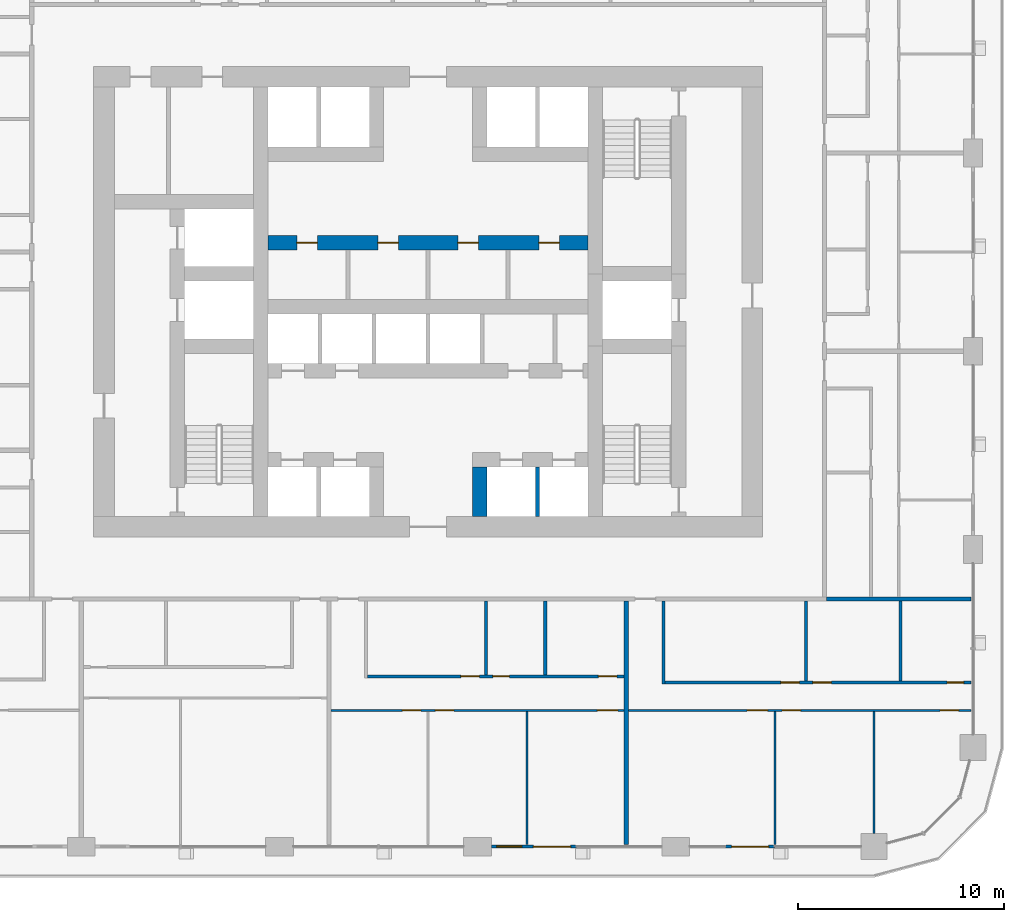
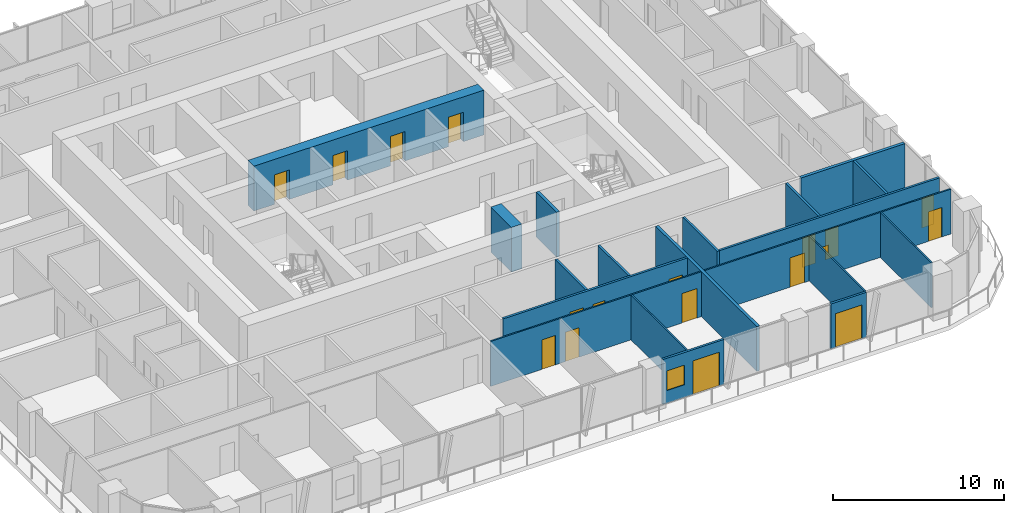
# One storey, part 11 of 21: 19 walls, 18 doors, 1 window, 19 openings.
"""IFC4 building model written with IfcOpenShell, lengths in metres."""

import ifcopenshell
import ifcopenshell.guid

model = None  # the IFC model being written
_history = None  # IfcOwnerHistory: only IFC2X3 demands one
_inside = {}  # id of a spatial element -> (the spatial element, [elements in it])
_under = {}  # id of a project, library or spatial element -> (it, [spatial elements below it])
_declared = {}  # id of a project -> (the project, [libraries it declares])
_typed = {}  # id of a type object -> (the type object, [elements of that type])
_made_of = {}  # id of a material, layer set ... -> (it, [elements and type objects made of it])


def new_model(schema):
    """Start an empty IFC model of exactly this schema.

    Asked for "IFC4X3", IfcOpenShell would pick the latest addendum, in which some entities
    have other attributes; the version numbers below select the first issue.
    IFC2X3 requires an IfcOwnerHistory on every rooted entity: one is made here for all.
    """
    global model, _history
    if schema == "IFC4X3":
        model = ifcopenshell.file(schema_version=(4, 3, 0, 0))
    else:
        model = ifcopenshell.file(schema=schema)
    _inside.clear()
    _under.clear()
    _declared.clear()
    _typed.clear()
    _made_of.clear()
    _history = None
    if model.schema == "IFC2X3":
        org = make("IfcOrganization", Name="unknown")
        user = make(
            "IfcPersonAndOrganization",
            ThePerson=make("IfcPerson", FamilyName="unknown"),
            TheOrganization=org,
        )
        app = make(
            "IfcApplication",
            ApplicationDeveloper=org,
            Version="unknown",
            ApplicationFullName="unknown",
            ApplicationIdentifier="unknown",
        )
        _history = make(
            "IfcOwnerHistory",
            OwningUser=user,
            OwningApplication=app,
            ChangeAction="ADDED",
            CreationDate=0,
        )
    return model


def make(cls, **values):
    """One entity of the class cls with the attributes given. An attribute that is None is left unset."""
    return model.create_entity(
        cls, **{name: value for name, value in values.items() if value is not None}
    )


def rooted(cls, **values):
    """An entity with a GlobalId (a new one), such as an element, a storey or a relation."""
    return make(cls, GlobalId=ifcopenshell.guid.new(), OwnerHistory=_history, **values)


def si_unit(unit_type, name, prefix=None):
    """IfcSIUnit, for example si_unit("LENGTHUNIT", "METRE", prefix="MILLI")."""
    return make("IfcSIUnit", UnitType=unit_type, Prefix=prefix, Name=name)


def assignment(units):
    """IfcUnitAssignment: the units of a project."""
    return None if units is None else make("IfcUnitAssignment", Units=units)


def point(xyz):
    """IfcCartesianPoint."""
    return None if xyz is None else make("IfcCartesianPoint", Coordinates=xyz)


def direction(xyz):
    """IfcDirection."""
    return None if xyz is None else make("IfcDirection", DirectionRatios=xyz)


def frame(location, z_axis=None, x_axis=None):
    """IfcAxis2Placement3D, a coordinate frame: its origin and axes. An axis left out is left unset."""
    return make(
        "IfcAxis2Placement3D",
        Location=point(location),
        Axis=direction(z_axis),
        RefDirection=direction(x_axis),
    )


def frame_2d(location, x_axis=None):
    """IfcAxis2Placement2D, a coordinate frame in the plane: its origin and x axis."""
    return make(
        "IfcAxis2Placement2D", Location=point(location), RefDirection=direction(x_axis)
    )


def origin():
    """The frame at (0, 0, 0) with its axes left unset."""
    return frame((0.0, 0.0, 0.0))


def place(relative_to, where):
    """IfcLocalPlacement: puts the frame where relative to a parent placement (None: the world)."""
    return make(
        "IfcLocalPlacement", PlacementRelTo=relative_to, RelativePlacement=where
    )


def context(
    kind, dimensions, precision=None, world=None, true_north=None, identifier=None
):
    """IfcGeometricRepresentationContext, for example the 3D "Model" context."""
    return make(
        "IfcGeometricRepresentationContext",
        ContextIdentifier=identifier,
        ContextType=kind,
        CoordinateSpaceDimension=dimensions,
        Precision=precision,
        WorldCoordinateSystem=world,
        TrueNorth=true_north,
    )


def subcontext(parent, identifier, kind, view, scale=None):
    """IfcGeometricRepresentationSubContext, for example "Body" below "Model"."""
    return make(
        "IfcGeometricRepresentationSubContext",
        ContextIdentifier=identifier,
        ContextType=kind,
        ParentContext=parent,
        TargetScale=scale,
        TargetView=view,
    )


def project(units=None, contexts=None):
    """IfcProject with its units and contexts."""
    return rooted(
        "IfcProject",
        Name="project",
        RepresentationContexts=contexts,
        UnitsInContext=assignment(units),
    )


def spatial(cls, under=None, at=None, **own):
    """A site, building, storey or space (cls), placed at a placement, below another one or the project."""
    s = rooted(cls, ObjectPlacement=at, **own)
    if under is not None:
        _under.setdefault(under.id(), (under, []))[1].append(s)
    return s


def profile(cls, at=None, kind="AREA", **sizes):
    """A parametric profile (cls). Its sizes go by their IFC names, for example OverallWidth=200.0."""
    return make(cls, ProfileType=kind, Position=at, **sizes)


def rectangle(**sizes):
    """IfcRectangleProfileDef."""
    return profile("IfcRectangleProfileDef", **sizes)


def extrude(swept, where, along, depth):
    """IfcExtrudedAreaSolid: the profile swept, set in the frame where, extruded along a direction by depth."""
    return make(
        "IfcExtrudedAreaSolid",
        SweptArea=swept,
        Position=where,
        ExtrudedDirection=direction(along),
        Depth=depth,
    )


def shape(context_of_items, identifier, shape_type, items):
    """IfcShapeRepresentation: the items that make up one representation, for example the "Body"."""
    return make(
        "IfcShapeRepresentation",
        ContextOfItems=context_of_items,
        RepresentationIdentifier=identifier,
        RepresentationType=shape_type,
        Items=items,
    )


def material(Name=None, Category=None):
    """IfcMaterial."""
    return make("IfcMaterial", Name=Name, Category=Category)


def layer(
    of_material, thickness, ventilated=None, Name=None, Category=None, Priority=None
):
    """IfcMaterialLayer: one layer of a wall or slab, of a material (None: an air gap)."""
    return make(
        "IfcMaterialLayer",
        Material=of_material,
        LayerThickness=thickness,
        IsVentilated=ventilated,
        Name=Name,
        Category=Category,
        Priority=Priority,
    )


def layer_set(layers, Name=None):
    """IfcMaterialLayerSet."""
    return make("IfcMaterialLayerSet", MaterialLayers=layers, LayerSetName=Name)


def made_of(thing, what):
    """Note that an element or type object is made of a material, layer set ...; save() writes the relation."""
    if what is not None:
        _made_of.setdefault(what.id(), (what, []))[1].append(thing)
    return thing


def type_object(cls, material=None, **own):
    """A type object (cls), such as IfcWallType, which elements share."""
    return made_of(rooted(cls, **own), material)


def element(
    cls,
    number,
    at=None,
    inside=None,
    cuts=None,
    type_object=None,
    material=None,
    context=None,
    identifier="Body",
    shape_type=None,
    held_by="IfcProductDefinitionShape",
    body=None,
    shapes=None,
    **own,
):
    """One element of the class cls, such as IfcWall. Its Tag is "e" and its number.

    at: its placement. inside: the storey or other place that contains it. cuts: it is an
    opening in that element (IfcRelVoidsElement). A single representation is given by context,
    identifier, shape_type and body (its items); several are given by shapes. held_by: the class
    of the entity that holds the representations. save() writes the other relations.
    """
    e = rooted(cls, Tag="e%d" % number, ObjectPlacement=at, **own)
    if body is not None:
        shapes = [shape(context, identifier, shape_type, body)]
    if shapes is not None:
        e.Representation = make(held_by, Representations=shapes)
    if inside is not None:
        _inside.setdefault(inside.id(), (inside, []))[1].append(e)
    if cuts is not None:
        rooted(
            "IfcRelVoidsElement", RelatingBuildingElement=cuts, RelatedOpeningElement=e
        )
    if type_object is not None:
        _typed.setdefault(type_object.id(), (type_object, []))[1].append(e)
    return made_of(e, material)


def fill(opening, filler):
    """IfcRelFillsElement: the door or window that sits in an opening."""
    return rooted(
        "IfcRelFillsElement",
        RelatingOpeningElement=opening,
        RelatedBuildingElement=filler,
    )


def aggregate(whole, parts):
    """IfcRelAggregates: a whole, such as a stair, and the parts it consists of."""
    return rooted("IfcRelAggregates", RelatingObject=whole, RelatedObjects=parts)


def save(model, path):
    """Write the relations noted so far, then the file.

    IfcRelAggregates (storeys below a building ...), IfcRelContainedInSpatialStructure (elements
    in a storey), IfcRelDefinesByType, IfcRelAssociatesMaterial and IfcRelDeclares: one each for
    every whole, place, type object, material and project.
    """
    for whole, parts in _under.values():
        aggregate(whole, parts)
    for where, things in _inside.values():
        rooted(
            "IfcRelContainedInSpatialStructure",
            RelatedElements=things,
            RelatingStructure=where,
        )
    for kind, things in _typed.values():
        rooted("IfcRelDefinesByType", RelatedObjects=things, RelatingType=kind)
    for what, things in _made_of.values():
        rooted("IfcRelAssociatesMaterial", RelatedObjects=things, RelatingMaterial=what)
    for by, libraries in _declared.values():
        rooted("IfcRelDeclares", RelatingContext=by, RelatedDefinitions=libraries)
    model.write(path)


model = new_model("IFC4")

# Units and contexts
model_context = context("Model", 3, precision=1e-05, world=origin(), true_north=direction((0.0, 1.0)))
body_context = subcontext(model_context, "Body", "Model", "MODEL_VIEW")
ifc_project = project(units=[si_unit("LENGTHUNIT", "METRE"), si_unit("AREAUNIT", "SQUARE_METRE"), si_unit("VOLUMEUNIT", "CUBIC_METRE"), si_unit("PLANEANGLEUNIT", "RADIAN"), si_unit("MASSUNIT", "GRAM", prefix="KILO")], contexts=[model_context])

# Site, building, storey
site_placement = place(None, origin())
site = spatial("IfcSite", under=ifc_project, at=site_placement, CompositionType="ELEMENT")
building_placement = place(site_placement, origin())
building = spatial("IfcBuilding", under=site, at=building_placement, Name="Madar Terraces", CompositionType="ELEMENT")
storey_placement = place(building_placement, frame((0.0, 0.0, 46.89990234375)))
storey = spatial("IfcBuildingStorey", under=building, at=storey_placement, Name="L11", CompositionType="ELEMENT", Elevation=46.89990234375)

# Wall, openings, doors
ifc_material_1 = material(Name="Concrete C80/95", Category="concrete")
ifc_layer_1 = layer(ifc_material_1, 0.699951171875)
ifc_layer_set_1 = layer_set([ifc_layer_1], Name="Concrete C80/95 (CIW1 RC wall 700)")
wall_type_1 = type_object("IfcWallType", Name="CIW1 RC wall 700", PredefinedType="SHEAR", material=ifc_layer_set_1)
wall_1_placement = place(storey_placement, frame((23.449951171875, 29.25, 0.0), z_axis=(0.0, 0.0, 1.0), x_axis=(1.0, 0.0, 0.0)))
wall_1 = element("IfcWall", 1, at=wall_1_placement, inside=storey, type_object=wall_type_1, Name="CORE SHAFT WALL", PredefinedType="SHEAR", context=body_context, shape_type="SweptSolid", body=[
    extrude(rectangle(XDim=15.5, YDim=0.699951171875, at=frame_2d((7.75, 0.0))), origin(), (0.0, 0.0, 1.0), 3.2001953125),
])
opening_1_placement = place(wall_1_placement, frame((1.387451171875, 0.0, 0.0)))
opening_1 = element("IfcOpeningElement", 2, at=opening_1_placement, cuts=wall_1, Name="Opening KD2", PredefinedType="OPENING", context=body_context, shape_type="SweptSolid", body=[
    extrude(rectangle(XDim=1.0, YDim=2.10009765625, at=frame_2d((0.5, 1.050048828125))), frame((0.0, 0.35986328125, 0.0), z_axis=(0.0, -1.0, 0.0), x_axis=(1.0, 0.0, 0.0)), (0.0, 0.0, 1.0), 0.719970703125),
])
opening_2_placement = place(wall_1_placement, frame((5.3125, 0.0, 0.0)))
opening_2 = element("IfcOpeningElement", 3, at=opening_2_placement, cuts=wall_1, Name="Opening KD2", PredefinedType="OPENING", context=body_context, shape_type="SweptSolid", body=[
    extrude(rectangle(XDim=1.0, YDim=2.10009765625, at=frame_2d((0.5, 1.050048828125))), frame((0.0, 0.35986328125, 0.0), z_axis=(0.0, -1.0, 0.0), x_axis=(1.0, 0.0, 0.0)), (0.0, 0.0, 1.0), 0.719970703125),
])
opening_3_placement = place(wall_1_placement, frame((9.1875, 0.0, 0.0)))
opening_3 = element("IfcOpeningElement", 4, at=opening_3_placement, cuts=wall_1, Name="Opening KD2", PredefinedType="OPENING", context=body_context, shape_type="SweptSolid", body=[
    extrude(rectangle(XDim=1.0, YDim=2.10009765625, at=frame_2d((0.5, 1.050048828125))), frame((0.0, 0.35986328125, 0.0), z_axis=(0.0, -1.0, 0.0), x_axis=(1.0, 0.0, 0.0)), (0.0, 0.0, 1.0), 0.719970703125),
])
opening_4_placement = place(wall_1_placement, frame((13.112548828125, 0.0, 0.0)))
opening_4 = element("IfcOpeningElement", 5, at=opening_4_placement, cuts=wall_1, Name="Opening KD2", PredefinedType="OPENING", context=body_context, shape_type="SweptSolid", body=[
    extrude(rectangle(XDim=1.0, YDim=2.10009765625, at=frame_2d((0.5, 1.050048828125))), frame((0.0, 0.35986328125, 0.0), z_axis=(0.0, -1.0, 0.0), x_axis=(1.0, 0.0, 0.0)), (0.0, 0.0, 1.0), 0.719970703125),
])
ifc_material_2 = material(Name="Steel door leaf", Category="steel")
door_type_1 = type_object("IfcDoorType", Name="Service room door 1000 x 2100", OperationType="NOTDEFINED", PredefinedType="DOOR", material=ifc_material_2)
door_1_placement = place(opening_1_placement, origin())
door_1 = element("IfcDoor", 6, at=door_1_placement, inside=storey, type_object=door_type_1, Name="SERVICE ROOM DOOR", OperationType="SINGLE_SWING_RIGHT", OverallHeight=2.10009765625, OverallWidth=1.0, PredefinedType="DOOR", context=body_context, shape_type="SweptSolid", body=[
    extrude(rectangle(XDim=1.0, YDim=2.10009765625, at=frame_2d((0.5, 1.050048828125))), frame((0.0, 0.02490234375, 0.0), z_axis=(0.0, -1.0, 0.0), x_axis=(1.0, 0.0, 0.0)), (0.0, 0.0, 1.0), 0.050048828125),
])
fill(opening_1, door_1)
door_2_placement = place(opening_2_placement, origin())
door_2 = element("IfcDoor", 7, at=door_2_placement, inside=storey, type_object=door_type_1, Name="SERVICE ROOM DOOR", OperationType="SINGLE_SWING_LEFT", OverallHeight=2.10009765625, OverallWidth=1.0, PredefinedType="DOOR", context=body_context, shape_type="SweptSolid", body=[
    extrude(rectangle(XDim=1.0, YDim=2.10009765625, at=frame_2d((0.5, 1.050048828125))), frame((0.0, 0.02490234375, 0.0), z_axis=(0.0, -1.0, 0.0), x_axis=(1.0, 0.0, 0.0)), (0.0, 0.0, 1.0), 0.050048828125),
])
fill(opening_2, door_2)
door_3_placement = place(opening_3_placement, origin())
door_3 = element("IfcDoor", 8, at=door_3_placement, inside=storey, type_object=door_type_1, Name="SERVICE ROOM DOOR", OperationType="SINGLE_SWING_RIGHT", OverallHeight=2.10009765625, OverallWidth=1.0, PredefinedType="DOOR", context=body_context, shape_type="SweptSolid", body=[
    extrude(rectangle(XDim=1.0, YDim=2.10009765625, at=frame_2d((0.5, 1.050048828125))), frame((0.0, 0.02490234375, 0.0), z_axis=(0.0, -1.0, 0.0), x_axis=(1.0, 0.0, 0.0)), (0.0, 0.0, 1.0), 0.050048828125),
])
fill(opening_3, door_3)
door_4_placement = place(opening_4_placement, origin())
door_4 = element("IfcDoor", 9, at=door_4_placement, inside=storey, type_object=door_type_1, Name="SERVICE ROOM DOOR", OperationType="SINGLE_SWING_LEFT", OverallHeight=2.10009765625, OverallWidth=1.0, PredefinedType="DOOR", context=body_context, shape_type="SweptSolid", body=[
    extrude(rectangle(XDim=1.0, YDim=2.10009765625, at=frame_2d((0.5, 1.050048828125))), frame((0.0, 0.02490234375, 0.0), z_axis=(0.0, -1.0, 0.0), x_axis=(1.0, 0.0, 0.0)), (0.0, 0.0, 1.0), 0.050048828125),
])
fill(opening_4, door_4)

# Walls
wall_2_placement = place(storey_placement, frame((33.699951171875, 16.0, 0.0), z_axis=(0.0, 0.0, 1.0), x_axis=(0.0, 1.0, 0.0)))
element("IfcWall", 10, at=wall_2_placement, inside=storey, type_object=wall_type_1, Name="CORE SHAFT WALL", PredefinedType="SHEAR", context=body_context, shape_type="SweptSolid", body=[
    extrude(rectangle(XDim=2.39990234375, YDim=0.699951171875, at=frame_2d((1.199951171875, 0.0))), origin(), (0.0, 0.0, 1.0), 3.2001953125),
])
ifc_material_3 = material(Name="Concrete C40/50", Category="concrete")
ifc_layer_2 = layer(ifc_material_3, 0.199951171875)
ifc_layer_set_2 = layer_set([ifc_layer_2], Name="Core shaft dividing wall 200 C40/50")
wall_type_2 = type_object("IfcWallType", Name="Core shaft dividing wall 200 C40/50", PredefinedType="SOLIDWALL", material=ifc_layer_set_2)
wall_3_placement = place(storey_placement, frame((36.5, 16.0, 0.0), z_axis=(0.0, 0.0, 1.0), x_axis=(0.0, 1.0, 0.0)))
element("IfcWall", 11, at=wall_3_placement, inside=storey, type_object=wall_type_2, Name="SHAFT DIVIDING WALL", PredefinedType="SOLIDWALL", context=body_context, shape_type="SweptSolid", body=[
    extrude(rectangle(XDim=2.39990234375, YDim=0.199951171875, at=frame_2d((1.199951171875, 0.0))), origin(), (0.0, 0.0, 1.0), 3.2001953125),
])

# Wall, openings, door, window
ifc_material_4 = material(Name="Aluminium composite panel, black, over insulated backing", Category="aluminium")
ifc_layer_3 = layer(ifc_material_4, 0.14990234375)
ifc_layer_set_3 = layer_set([ifc_layer_3], Name="Facade bay panel 150")
wall_type_3 = type_object("IfcWallType", Name="Facade bay panel 150", PredefinedType="SOLIDWALL", material=ifc_layer_set_3)
wall_4_placement = place(storey_placement, frame((34.27490234375, 0.0, 0.0), z_axis=(0.0, 0.0, 1.0), x_axis=(1.0, 0.0, 0.0)))
wall_4 = element("IfcWall", 12, at=wall_4_placement, inside=storey, type_object=wall_type_3, Name="Facade bay panel", PredefinedType="SOLIDWALL", context=body_context, shape_type="SweptSolid", body=[
    extrude(rectangle(XDim=4.125, YDim=0.14990234375, at=frame_2d((2.0625, 0.0))), origin(), (0.0, 0.0, 1.0), 3.2001953125),
])
opening_5_placement = place(wall_4_placement, frame((0.262451171875, 0.0, 0.89990234375)))
opening_5 = element("IfcOpeningElement", 13, at=opening_5_placement, cuts=wall_4, Name="Opening W1", PredefinedType="OPENING", context=body_context, shape_type="SweptSolid", body=[
    extrude(rectangle(XDim=1.199951171875, YDim=1.39990234375, at=frame_2d((0.60009765625, 0.699951171875))), frame((0.0, 0.0849609375, 0.0), z_axis=(0.0, -1.0, 0.0), x_axis=(1.0, 0.0, 0.0)), (0.0, 0.0, 1.0), 0.169921875),
])
opening_6_placement = place(wall_4_placement, frame((2.02490234375, 0.0, 0.0)))
opening_6 = element("IfcOpeningElement", 14, at=opening_6_placement, cuts=wall_4, Name="Opening ED1", PredefinedType="OPENING", context=body_context, shape_type="SweptSolid", body=[
    extrude(rectangle(XDim=1.800048828125, YDim=2.39990234375, at=frame_2d((0.89990234375, 1.199951171875))), frame((0.0, 0.0849609375, 0.0), z_axis=(0.0, -1.0, 0.0), x_axis=(1.0, 0.0, 0.0)), (0.0, 0.0, 1.0), 0.169921875),
])
ifc_material_5 = material(Name="Glass, clear, with black aluminium frame", Category="aluminium")
door_type_2 = type_object("IfcDoorType", Name="Balcony and terrace sliding door 1800 x 2400", OperationType="SLIDING_TO_LEFT", PredefinedType="DOOR", material=ifc_material_5)
door_5_placement = place(opening_6_placement, origin())
door_5 = element("IfcDoor", 15, at=door_5_placement, inside=storey, type_object=door_type_2, Name="Balcony door", OperationType="SLIDING_TO_RIGHT", OverallHeight=2.39990234375, OverallWidth=1.800048828125, PredefinedType="DOOR", context=body_context, shape_type="SweptSolid", body=[
    extrude(rectangle(XDim=1.800048828125, YDim=2.39990234375, at=frame_2d((0.89990234375, 1.199951171875))), frame((0.0, 0.02490234375, 0.0), z_axis=(0.0, -1.0, 0.0), x_axis=(1.0, 0.0, 0.0)), (0.0, 0.0, 1.0), 0.050048828125),
])
fill(opening_6, door_5)
ifc_material_6 = material(Name="Glass, clear, with black aluminium frame", Category="aluminium")
window_type = type_object("IfcWindowType", Name="Vent window 1200 x 1400", PartitioningType="SINGLE_PANEL", PredefinedType="WINDOW", material=ifc_material_6)
window_placement = place(opening_5_placement, origin())
window = element("IfcWindow", 16, at=window_placement, inside=storey, type_object=window_type, Name="Operable vent window", OverallHeight=1.39990234375, OverallWidth=1.199951171875, PartitioningType="SINGLE_PANEL", PredefinedType="WINDOW", context=body_context, shape_type="SweptSolid", body=[
    extrude(rectangle(XDim=1.199951171875, YDim=1.39990234375, at=frame_2d((0.60009765625, 0.699951171875))), frame((0.0, 0.030029296875, 0.0), z_axis=(0.0, -1.0, 0.0), x_axis=(1.0, 0.0, 0.0)), (0.0, 0.0, 1.0), 0.06005859375),
])
fill(opening_5, window)

# Wall, opening, door
wall_5_placement = place(storey_placement, frame((45.60009765625, 0.0, 0.0), z_axis=(0.0, 0.0, 1.0), x_axis=(1.0, 0.0, 0.0)))
wall_5 = element("IfcWall", 17, at=wall_5_placement, inside=storey, type_object=wall_type_3, Name="Facade bay panel", PredefinedType="SOLIDWALL", context=body_context, shape_type="SweptSolid", body=[
    extrude(rectangle(XDim=2.39990234375, YDim=0.14990234375, at=frame_2d((1.199951171875, 0.0))), origin(), (0.0, 0.0, 1.0), 3.2001953125),
])
opening_7_placement = place(wall_5_placement, frame((0.300048828125, 0.0, 0.0)))
opening_7 = element("IfcOpeningElement", 18, at=opening_7_placement, cuts=wall_5, Name="Opening ED1", PredefinedType="OPENING", context=body_context, shape_type="SweptSolid", body=[
    extrude(rectangle(XDim=1.800048828125, YDim=2.39990234375, at=frame_2d((0.89990234375, 1.199951171875))), frame((0.0, 0.0849609375, 0.0), z_axis=(0.0, -1.0, 0.0), x_axis=(1.0, 0.0, 0.0)), (0.0, 0.0, 1.0), 0.169921875),
])
door_6_placement = place(opening_7_placement, origin())
door_6 = element("IfcDoor", 19, at=door_6_placement, inside=storey, type_object=door_type_2, Name="Balcony door", OperationType="SLIDING_TO_LEFT", OverallHeight=2.39990234375, OverallWidth=1.800048828125, PredefinedType="DOOR", context=body_context, shape_type="SweptSolid", body=[
    extrude(rectangle(XDim=1.800048828125, YDim=2.39990234375, at=frame_2d((0.89990234375, 1.199951171875))), frame((0.0, 0.02490234375, 0.0), z_axis=(0.0, -1.0, 0.0), x_axis=(1.0, 0.0, 0.0)), (0.0, 0.0, 1.0), 0.050048828125),
])
fill(opening_7, door_6)

# Wall
ifc_material_7 = material(Name="Gypsum board on steel studs", Category="steel")
ifc_layer_4 = layer(ifc_material_7, 0.10009765625)
ifc_layer_set_4 = layer_set([ifc_layer_4], Name="Flat partition 100")
wall_type_4 = type_object("IfcWallType", Name="Flat partition 100", PredefinedType="PARTITIONING", material=ifc_layer_set_4)
wall_6_placement = place(storey_placement, frame((36.0, 6.550048828125, 0.0), z_axis=(0.0, 0.0, 1.0), x_axis=(0.0, -1.0, 0.0)))
element("IfcWall", 20, at=wall_6_placement, inside=storey, type_object=wall_type_4, Name="Flat partition 100", PredefinedType="PARTITIONING", context=body_context, shape_type="SweptSolid", body=[
    extrude(rectangle(XDim=6.449951171875, YDim=0.10009765625, at=frame_2d((3.22509765625, 0.0))), origin(), (0.0, 0.0, 1.0), 3.2001953125),
])

# Wall, openings, doors
wall_7_placement = place(storey_placement, frame((40.699951171875, 6.60009765625, 0.0), z_axis=(0.0, 0.0, 1.0), x_axis=(-1.0, 0.0, 0.0)))
wall_7 = element("IfcWall", 21, at=wall_7_placement, inside=storey, type_object=wall_type_4, Name="Flat partition 100", PredefinedType="PARTITIONING", context=body_context, shape_type="SweptSolid", body=[
    extrude(rectangle(XDim=14.199951171875, YDim=0.10009765625, at=frame_2d((7.10009765625, 0.0))), origin(), (0.0, 0.0, 1.0), 3.2001953125),
])
opening_8_placement = place(wall_7_placement, frame((9.85009765625, 0.0, 0.0)))
opening_8 = element("IfcOpeningElement", 22, at=opening_8_placement, cuts=wall_7, Name="Opening D2", PredefinedType="OPENING", context=body_context, shape_type="SweptSolid", body=[
    extrude(rectangle(XDim=0.89990234375, YDim=2.10009765625, at=frame_2d((0.449951171875, 1.050048828125))), frame((0.0, 0.06005859375, 0.0), z_axis=(0.0, -1.0, 0.0), x_axis=(1.0, 0.0, 0.0)), (0.0, 0.0, 1.0), 0.1201171875),
])
opening_9_placement = place(wall_7_placement, frame((8.25, 0.0, 0.0)))
opening_9 = element("IfcOpeningElement", 23, at=opening_9_placement, cuts=wall_7, Name="Opening D2", PredefinedType="OPENING", context=body_context, shape_type="SweptSolid", body=[
    extrude(rectangle(XDim=0.89990234375, YDim=2.10009765625, at=frame_2d((0.449951171875, 1.050048828125))), frame((0.0, 0.06005859375, 0.0), z_axis=(0.0, -1.0, 0.0), x_axis=(1.0, 0.0, 0.0)), (0.0, 0.0, 1.0), 0.1201171875),
])
opening_10_placement = place(wall_7_placement, frame((0.300048828125, 0.0, 0.0)))
opening_10 = element("IfcOpeningElement", 24, at=opening_10_placement, cuts=wall_7, Name="Opening D3", PredefinedType="OPENING", context=body_context, shape_type="SweptSolid", body=[
    extrude(rectangle(XDim=1.0, YDim=2.10009765625, at=frame_2d((0.5, 1.050048828125))), frame((0.0, 0.06005859375, 0.0), z_axis=(0.0, -1.0, 0.0), x_axis=(1.0, 0.0, 0.0)), (0.0, 0.0, 1.0), 0.1201171875),
])
ifc_material_8 = material(Name="Timber door leaf", Category="wood")
door_type_3 = type_object("IfcDoorType", Name="Flat living room door 1000", OperationType="NOTDEFINED", PredefinedType="DOOR", material=ifc_material_8)
door_7_placement = place(opening_10_placement, origin())
door_7 = element("IfcDoor", 25, at=door_7_placement, inside=storey, type_object=door_type_3, Name="Flat living room door 1000", OperationType="SINGLE_SWING_LEFT", OverallHeight=2.10009765625, OverallWidth=1.0, PredefinedType="DOOR", context=body_context, shape_type="SweptSolid", body=[
    extrude(rectangle(XDim=1.0, YDim=2.10009765625, at=frame_2d((0.5, 1.050048828125))), frame((0.0, 0.02490234375, 0.0), z_axis=(0.0, -1.0, 0.0), x_axis=(1.0, 0.0, 0.0)), (0.0, 0.0, 1.0), 0.050048828125),
])
fill(opening_10, door_7)
ifc_material_9 = material(Name="Timber door leaf", Category="wood")
door_type_4 = type_object("IfcDoorType", Name="Flat room door 900", OperationType="NOTDEFINED", PredefinedType="DOOR", material=ifc_material_9)
door_8_placement = place(opening_8_placement, origin())
door_8 = element("IfcDoor", 26, at=door_8_placement, inside=storey, type_object=door_type_4, Name="Flat room door 900", OperationType="SINGLE_SWING_LEFT", OverallHeight=2.10009765625, OverallWidth=0.89990234375, PredefinedType="DOOR", context=body_context, shape_type="SweptSolid", body=[
    extrude(rectangle(XDim=0.89990234375, YDim=2.10009765625, at=frame_2d((0.449951171875, 1.050048828125))), frame((0.0, 0.02490234375, 0.0), z_axis=(0.0, -1.0, 0.0), x_axis=(1.0, 0.0, 0.0)), (0.0, 0.0, 1.0), 0.050048828125),
])
fill(opening_8, door_8)
door_9_placement = place(opening_9_placement, origin())
door_9 = element("IfcDoor", 27, at=door_9_placement, inside=storey, type_object=door_type_4, Name="Flat room door 900", OperationType="SINGLE_SWING_RIGHT", OverallHeight=2.10009765625, OverallWidth=0.89990234375, PredefinedType="DOOR", context=body_context, shape_type="SweptSolid", body=[
    extrude(rectangle(XDim=0.89990234375, YDim=2.10009765625, at=frame_2d((0.449951171875, 1.050048828125))), frame((0.0, 0.02490234375, 0.0), z_axis=(0.0, -1.0, 0.0), x_axis=(1.0, 0.0, 0.0)), (0.0, 0.0, 1.0), 0.050048828125),
])
fill(opening_9, door_9)

# Walls
wall_8_placement = place(storey_placement, frame((48.0, 6.550048828125, 0.0), z_axis=(0.0, 0.0, 1.0), x_axis=(0.0, -1.0, 0.0)))
element("IfcWall", 28, at=wall_8_placement, inside=storey, type_object=wall_type_4, Name="Flat partition 100", PredefinedType="PARTITIONING", context=body_context, shape_type="SweptSolid", body=[
    extrude(rectangle(XDim=6.449951171875, YDim=0.10009765625, at=frame_2d((3.22509765625, 0.0))), origin(), (0.0, 0.0, 1.0), 3.2001953125),
])
wall_9_placement = place(storey_placement, frame((52.800048828125, 6.550048828125, 0.0), z_axis=(0.0, 0.0, 1.0), x_axis=(0.0, -1.0, 0.0)))
element("IfcWall", 29, at=wall_9_placement, inside=storey, type_object=wall_type_4, Name="Flat partition 100", PredefinedType="PARTITIONING", context=body_context, shape_type="SweptSolid", body=[
    extrude(rectangle(XDim=5.925048828125, YDim=0.10009765625, at=frame_2d((2.96240234375, 0.0))), origin(), (0.0, 0.0, 1.0), 3.2001953125),
])

# Wall, openings, doors
wall_10_placement = place(storey_placement, frame((57.5, 6.60009765625, 0.0), z_axis=(0.0, 0.0, 1.0), x_axis=(-1.0, 0.0, 0.0)))
wall_10 = element("IfcWall", 30, at=wall_10_placement, inside=storey, type_object=wall_type_4, Name="Flat partition 100", PredefinedType="PARTITIONING", context=body_context, shape_type="SweptSolid", body=[
    extrude(rectangle(XDim=16.60009765625, YDim=0.10009765625, at=frame_2d((8.300048828125, 0.0))), origin(), (0.0, 0.0, 1.0), 3.2001953125),
])
opening_11_placement = place(wall_10_placement, frame((9.85009765625, 0.0, 0.0)))
opening_11 = element("IfcOpeningElement", 31, at=opening_11_placement, cuts=wall_10, Name="Opening D3", PredefinedType="OPENING", context=body_context, shape_type="SweptSolid", body=[
    extrude(rectangle(XDim=1.0, YDim=2.10009765625, at=frame_2d((0.5, 1.050048828125))), frame((0.0, 0.06005859375, 0.0), z_axis=(0.0, -1.0, 0.0), x_axis=(1.0, 0.0, 0.0)), (0.0, 0.0, 1.0), 0.1201171875),
])
opening_12_placement = place(wall_10_placement, frame((8.25, 0.0, 0.0)))
opening_12 = element("IfcOpeningElement", 32, at=opening_12_placement, cuts=wall_10, Name="Opening D2", PredefinedType="OPENING", context=body_context, shape_type="SweptSolid", body=[
    extrude(rectangle(XDim=0.89990234375, YDim=2.10009765625, at=frame_2d((0.449951171875, 1.050048828125))), frame((0.0, 0.06005859375, 0.0), z_axis=(0.0, -1.0, 0.0), x_axis=(1.0, 0.0, 0.0)), (0.0, 0.0, 1.0), 0.1201171875),
])
opening_13_placement = place(wall_10_placement, frame((0.60009765625, 0.0, 0.0)))
opening_13 = element("IfcOpeningElement", 33, at=opening_13_placement, cuts=wall_10, Name="Opening D2", PredefinedType="OPENING", context=body_context, shape_type="SweptSolid", body=[
    extrude(rectangle(XDim=0.89990234375, YDim=2.10009765625, at=frame_2d((0.449951171875, 1.050048828125))), frame((0.0, 0.06005859375, 0.0), z_axis=(0.0, -1.0, 0.0), x_axis=(1.0, 0.0, 0.0)), (0.0, 0.0, 1.0), 0.1201171875),
])
door_10_placement = place(opening_11_placement, origin())
door_10 = element("IfcDoor", 34, at=door_10_placement, inside=storey, type_object=door_type_3, Name="Flat living room door 1000", OperationType="SINGLE_SWING_LEFT", OverallHeight=2.10009765625, OverallWidth=1.0, PredefinedType="DOOR", context=body_context, shape_type="SweptSolid", body=[
    extrude(rectangle(XDim=1.0, YDim=2.10009765625, at=frame_2d((0.5, 1.050048828125))), frame((0.0, 0.02490234375, 0.0), z_axis=(0.0, -1.0, 0.0), x_axis=(1.0, 0.0, 0.0)), (0.0, 0.0, 1.0), 0.050048828125),
])
fill(opening_11, door_10)
door_11_placement = place(opening_12_placement, origin())
door_11 = element("IfcDoor", 35, at=door_11_placement, inside=storey, type_object=door_type_4, Name="Flat room door 900", OperationType="SINGLE_SWING_RIGHT", OverallHeight=2.10009765625, OverallWidth=0.89990234375, PredefinedType="DOOR", context=body_context, shape_type="SweptSolid", body=[
    extrude(rectangle(XDim=0.89990234375, YDim=2.10009765625, at=frame_2d((0.449951171875, 1.050048828125))), frame((0.0, 0.02490234375, 0.0), z_axis=(0.0, -1.0, 0.0), x_axis=(1.0, 0.0, 0.0)), (0.0, 0.0, 1.0), 0.050048828125),
])
fill(opening_12, door_11)
door_12_placement = place(opening_13_placement, origin())
door_12 = element("IfcDoor", 36, at=door_12_placement, inside=storey, type_object=door_type_4, Name="Flat room door 900", OperationType="SINGLE_SWING_LEFT", OverallHeight=2.10009765625, OverallWidth=0.89990234375, PredefinedType="DOOR", context=body_context, shape_type="SweptSolid", body=[
    extrude(rectangle(XDim=0.89990234375, YDim=2.10009765625, at=frame_2d((0.449951171875, 1.050048828125))), frame((0.0, 0.02490234375, 0.0), z_axis=(0.0, -1.0, 0.0), x_axis=(1.0, 0.0, 0.0)), (0.0, 0.0, 1.0), 0.050048828125),
])
fill(opening_13, door_12)

# Walls
ifc_material_10 = material(Name="Lightweight blockwork", Category="masonry")
ifc_layer_5 = layer(ifc_material_10, 0.199951171875)
ifc_layer_set_5 = layer_set([ifc_layer_5], Name="Flat party and entrance wall 200")
wall_type_5 = type_object("IfcWallType", Name="Flat party and entrance wall 200", PredefinedType="PARTITIONING", material=ifc_layer_set_5)
wall_11_placement = place(storey_placement, frame((40.800048828125, 11.89990234375, 0.0), z_axis=(0.0, 0.0, 1.0), x_axis=(0.0, -1.0, 0.0)))
element("IfcWall", 37, at=wall_11_placement, inside=storey, type_object=wall_type_5, Name="Flat party and entrance wall 200", PredefinedType="PARTITIONING", context=body_context, shape_type="SweptSolid", body=[
    extrude(rectangle(XDim=11.7998046875, YDim=0.199951171875, at=frame_2d((5.89990234375, 0.0))), origin(), (0.0, 0.0, 1.0), 3.2001953125),
])
wall_12_placement = place(storey_placement, frame((50.5, 12.0, 0.0), z_axis=(0.0, 0.0, 1.0), x_axis=(1.0, 0.0, 0.0)))
element("IfcWall", 38, at=wall_12_placement, inside=storey, type_object=wall_type_5, Name="Flat party and entrance wall 200", PredefinedType="PARTITIONING", context=body_context, shape_type="SweptSolid", body=[
    extrude(rectangle(XDim=7.0, YDim=0.199951171875, at=frame_2d((3.5, 0.0))), origin(), (0.0, 0.0, 1.0), 3.2001953125),
])
ifc_material_11 = material(Name="Lightweight blockwork", Category="masonry")
ifc_layer_6 = layer(ifc_material_11, 0.14990234375)
ifc_layer_set_6 = layer_set([ifc_layer_6], Name="Flat wet-room partition 150")
wall_type_6 = type_object("IfcWallType", Name="Flat wet-room partition 150", PredefinedType="PARTITIONING", material=ifc_layer_set_6)
for number, where, z_axis, x_axis, name in (
    (39, (34.009521484375, 11.89990234375, 0.0), (0.0, 0.0, 1.0), (0.0, -1.0, 0.0), "Flat wet-room partition 150"),
    (40, (36.876953125, 11.89990234375, 0.0), (0.0, 0.0, 1.0), (0.0, -1.0, 0.0), "Flat wet-room partition 150"),
):
    element("IfcWall", number, at=place(storey_placement, frame(where, z_axis=z_axis, x_axis=x_axis)), inside=storey, type_object=wall_type_6, Name=name, PredefinedType="PARTITIONING", context=body_context, shape_type="SweptSolid", body=[
        extrude(rectangle(XDim=3.574951171875, YDim=0.14990234375, at=frame_2d((1.78759765625, 0.0))), origin(), (0.0, 0.0, 1.0), 3.2001953125),
    ])

# Wall, openings, doors
wall_13_placement = place(storey_placement, frame((28.27490234375, 8.25, 0.0), z_axis=(0.0, 0.0, 1.0), x_axis=(1.0, 0.0, 0.0)))
wall_13 = element("IfcWall", 41, at=wall_13_placement, inside=storey, type_object=wall_type_6, Name="Flat wet-room partition 150", PredefinedType="PARTITIONING", context=body_context, shape_type="SweptSolid", body=[
    extrude(rectangle(XDim=12.425048828125, YDim=0.14990234375, at=frame_2d((6.21240234375, 0.0))), origin(), (0.0, 0.0, 1.0), 3.2001953125),
])
opening_14_placement = place(wall_13_placement, frame((4.509521484375, 0.0, 0.0)))
opening_14 = element("IfcOpeningElement", 42, at=opening_14_placement, cuts=wall_13, Name="Opening D2", PredefinedType="OPENING", context=body_context, shape_type="SweptSolid", body=[
    extrude(rectangle(XDim=0.89990234375, YDim=2.10009765625, at=frame_2d((0.449951171875, 1.050048828125))), frame((0.0, 0.0849609375, 0.0), z_axis=(0.0, -1.0, 0.0), x_axis=(1.0, 0.0, 0.0)), (0.0, 0.0, 1.0), 0.169921875),
])
opening_15_placement = place(wall_13_placement, frame((6.0595703125, 0.0, 0.0)))
opening_15 = element("IfcOpeningElement", 43, at=opening_15_placement, cuts=wall_13, Name="Opening D4", PredefinedType="OPENING", context=body_context, shape_type="SweptSolid", body=[
    extrude(rectangle(XDim=0.800048828125, YDim=2.10009765625, at=frame_2d((0.39990234375, 1.050048828125))), frame((0.0, 0.0849609375, 0.0), z_axis=(0.0, -1.0, 0.0), x_axis=(1.0, 0.0, 0.0)), (0.0, 0.0, 1.0), 0.169921875),
])
opening_16_placement = place(wall_13_placement, frame((11.175048828125, 0.0, 0.0)))
opening_16 = element("IfcOpeningElement", 44, at=opening_16_placement, cuts=wall_13, Name="Opening D5", PredefinedType="OPENING", context=body_context, shape_type="SweptSolid", body=[
    extrude(rectangle(XDim=0.89990234375, YDim=2.10009765625, at=frame_2d((0.449951171875, 1.050048828125))), frame((0.0, 0.0849609375, 0.0), z_axis=(0.0, -1.0, 0.0), x_axis=(1.0, 0.0, 0.0)), (0.0, 0.0, 1.0), 0.169921875),
])
ifc_material_12 = material(Name="Timber door leaf", Category="wood")
door_type_5 = type_object("IfcDoorType", Name="Flat accessible bathroom door 900", OperationType="NOTDEFINED", PredefinedType="DOOR", material=ifc_material_12)
door_13_placement = place(opening_16_placement, origin())
door_13 = element("IfcDoor", 45, at=door_13_placement, inside=storey, type_object=door_type_5, Name="Flat accessible bathroom door 900", OperationType="SINGLE_SWING_RIGHT", OverallHeight=2.10009765625, OverallWidth=0.89990234375, PredefinedType="DOOR", context=body_context, shape_type="SweptSolid", body=[
    extrude(rectangle(XDim=0.89990234375, YDim=2.10009765625, at=frame_2d((0.449951171875, 1.050048828125))), frame((0.0, 0.02490234375, 0.0), z_axis=(0.0, -1.0, 0.0), x_axis=(1.0, 0.0, 0.0)), (0.0, 0.0, 1.0), 0.050048828125),
])
fill(opening_16, door_13)
ifc_material_13 = material(Name="Timber door leaf", Category="wood")
door_type_6 = type_object("IfcDoorType", Name="Flat bathroom door 800", OperationType="NOTDEFINED", PredefinedType="DOOR", material=ifc_material_13)
door_14_placement = place(opening_15_placement, origin())
door_14 = element("IfcDoor", 46, at=door_14_placement, inside=storey, type_object=door_type_6, Name="Flat bathroom door 800", OperationType="SINGLE_SWING_LEFT", OverallHeight=2.10009765625, OverallWidth=0.800048828125, PredefinedType="DOOR", context=body_context, shape_type="SweptSolid", body=[
    extrude(rectangle(XDim=0.800048828125, YDim=2.10009765625, at=frame_2d((0.39990234375, 1.050048828125))), frame((0.0, 0.02490234375, 0.0), z_axis=(0.0, -1.0, 0.0), x_axis=(1.0, 0.0, 0.0)), (0.0, 0.0, 1.0), 0.050048828125),
])
fill(opening_15, door_14)
door_15_placement = place(opening_14_placement, origin())
door_15 = element("IfcDoor", 47, at=door_15_placement, inside=storey, type_object=door_type_4, Name="Flat room door 900", OperationType="SINGLE_SWING_RIGHT", OverallHeight=2.10009765625, OverallWidth=0.89990234375, PredefinedType="DOOR", context=body_context, shape_type="SweptSolid", body=[
    extrude(rectangle(XDim=0.89990234375, YDim=2.10009765625, at=frame_2d((0.449951171875, 1.050048828125))), frame((0.0, 0.02490234375, 0.0), z_axis=(0.0, -1.0, 0.0), x_axis=(1.0, 0.0, 0.0)), (0.0, 0.0, 1.0), 0.050048828125),
])
fill(opening_14, door_15)

# Walls
for number, where, z_axis, x_axis, name in (
    (48, (49.517333984375, 11.89990234375, 0.0), (0.0, 0.0, 1.0), (0.0, -1.0, 0.0), "Flat wet-room partition 150"),
    (49, (54.078857421875, 11.89990234375, 0.0), (0.0, 0.0, 1.0), (0.0, -1.0, 0.0), "Flat wet-room partition 150"),
):
    element("IfcWall", number, at=place(storey_placement, frame(where, z_axis=z_axis, x_axis=x_axis)), inside=storey, type_object=wall_type_6, Name=name, PredefinedType="PARTITIONING", context=body_context, shape_type="SweptSolid", body=[
        extrude(rectangle(XDim=3.875, YDim=0.14990234375, at=frame_2d((1.9375, 0.0))), origin(), (0.0, 0.0, 1.0), 3.2001953125),
    ])
wall_14_placement = place(storey_placement, frame((42.60009765625, 11.89990234375, 0.0), z_axis=(0.0, 0.0, 1.0), x_axis=(0.0, -1.0, 0.0)))
element("IfcWall", 50, at=wall_14_placement, inside=storey, type_object=wall_type_6, Name="Flat wet-room partition 150", PredefinedType="PARTITIONING", context=body_context, shape_type="SweptSolid", body=[
    extrude(rectangle(XDim=4.02490234375, YDim=0.14990234375, at=frame_2d((2.012451171875, 0.0))), origin(), (0.0, 0.0, 1.0), 3.2001953125),
])

# Wall, openings, doors
wall_15_placement = place(storey_placement, frame((42.675048828125, 7.949951171875, 0.0), z_axis=(0.0, 0.0, 1.0), x_axis=(1.0, 0.0, 0.0)))
wall_15 = element("IfcWall", 51, at=wall_15_placement, inside=storey, type_object=wall_type_6, Name="Flat wet-room partition 150", PredefinedType="PARTITIONING", context=body_context, shape_type="SweptSolid", body=[
    extrude(rectangle(XDim=14.824951171875, YDim=0.14990234375, at=frame_2d((7.41259765625, 0.0))), origin(), (0.0, 0.0, 1.0), 3.2001953125),
])
opening_17_placement = place(wall_15_placement, frame((5.6171875, 0.0, 0.0)))
opening_17 = element("IfcOpeningElement", 52, at=opening_17_placement, cuts=wall_15, Name="Opening D2", PredefinedType="OPENING", context=body_context, shape_type="SweptSolid", body=[
    extrude(rectangle(XDim=0.89990234375, YDim=2.10009765625, at=frame_2d((0.449951171875, 1.050048828125))), frame((0.0, 0.0849609375, 0.0), z_axis=(0.0, -1.0, 0.0), x_axis=(1.0, 0.0, 0.0)), (0.0, 0.0, 1.0), 0.169921875),
])
opening_18_placement = place(wall_15_placement, frame((7.167236328125, 0.0, 0.0)))
opening_18 = element("IfcOpeningElement", 53, at=opening_18_placement, cuts=wall_15, Name="Opening D5", PredefinedType="OPENING", context=body_context, shape_type="SweptSolid", body=[
    extrude(rectangle(XDim=0.89990234375, YDim=2.10009765625, at=frame_2d((0.449951171875, 1.050048828125))), frame((0.0, 0.0849609375, 0.0), z_axis=(0.0, -1.0, 0.0), x_axis=(1.0, 0.0, 0.0)), (0.0, 0.0, 1.0), 0.169921875),
])
opening_19_placement = place(wall_15_placement, frame((13.675048828125, 0.0, 0.0)))
opening_19 = element("IfcOpeningElement", 54, at=opening_19_placement, cuts=wall_15, Name="Opening D4", PredefinedType="OPENING", context=body_context, shape_type="SweptSolid", body=[
    extrude(rectangle(XDim=0.800048828125, YDim=2.10009765625, at=frame_2d((0.39990234375, 1.050048828125))), frame((0.0, 0.0849609375, 0.0), z_axis=(0.0, -1.0, 0.0), x_axis=(1.0, 0.0, 0.0)), (0.0, 0.0, 1.0), 0.169921875),
])
door_16_placement = place(opening_18_placement, origin())
door_16 = element("IfcDoor", 55, at=door_16_placement, inside=storey, type_object=door_type_5, Name="Flat accessible bathroom door 900", OperationType="SINGLE_SWING_LEFT", OverallHeight=2.10009765625, OverallWidth=0.89990234375, PredefinedType="DOOR", context=body_context, shape_type="SweptSolid", body=[
    extrude(rectangle(XDim=0.89990234375, YDim=2.10009765625, at=frame_2d((0.449951171875, 1.050048828125))), frame((0.0, 0.02490234375, 0.0), z_axis=(0.0, -1.0, 0.0), x_axis=(1.0, 0.0, 0.0)), (0.0, 0.0, 1.0), 0.050048828125),
])
fill(opening_18, door_16)
door_17_placement = place(opening_19_placement, origin())
door_17 = element("IfcDoor", 56, at=door_17_placement, inside=storey, type_object=door_type_6, Name="Flat bathroom door 800", OperationType="SINGLE_SWING_RIGHT", OverallHeight=2.10009765625, OverallWidth=0.800048828125, PredefinedType="DOOR", context=body_context, shape_type="SweptSolid", body=[
    extrude(rectangle(XDim=0.800048828125, YDim=2.10009765625, at=frame_2d((0.39990234375, 1.050048828125))), frame((0.0, 0.02490234375, 0.0), z_axis=(0.0, -1.0, 0.0), x_axis=(1.0, 0.0, 0.0)), (0.0, 0.0, 1.0), 0.050048828125),
])
fill(opening_19, door_17)
door_18_placement = place(opening_17_placement, origin())
door_18 = element("IfcDoor", 57, at=door_18_placement, inside=storey, type_object=door_type_4, Name="Flat room door 900", OperationType="SINGLE_SWING_RIGHT", OverallHeight=2.10009765625, OverallWidth=0.89990234375, PredefinedType="DOOR", context=body_context, shape_type="SweptSolid", body=[
    extrude(rectangle(XDim=0.89990234375, YDim=2.10009765625, at=frame_2d((0.449951171875, 1.050048828125))), frame((0.0, 0.02490234375, 0.0), z_axis=(0.0, -1.0, 0.0), x_axis=(1.0, 0.0, 0.0)), (0.0, 0.0, 1.0), 0.050048828125),
])
fill(opening_17, door_18)

save(model, "model.ifc")
